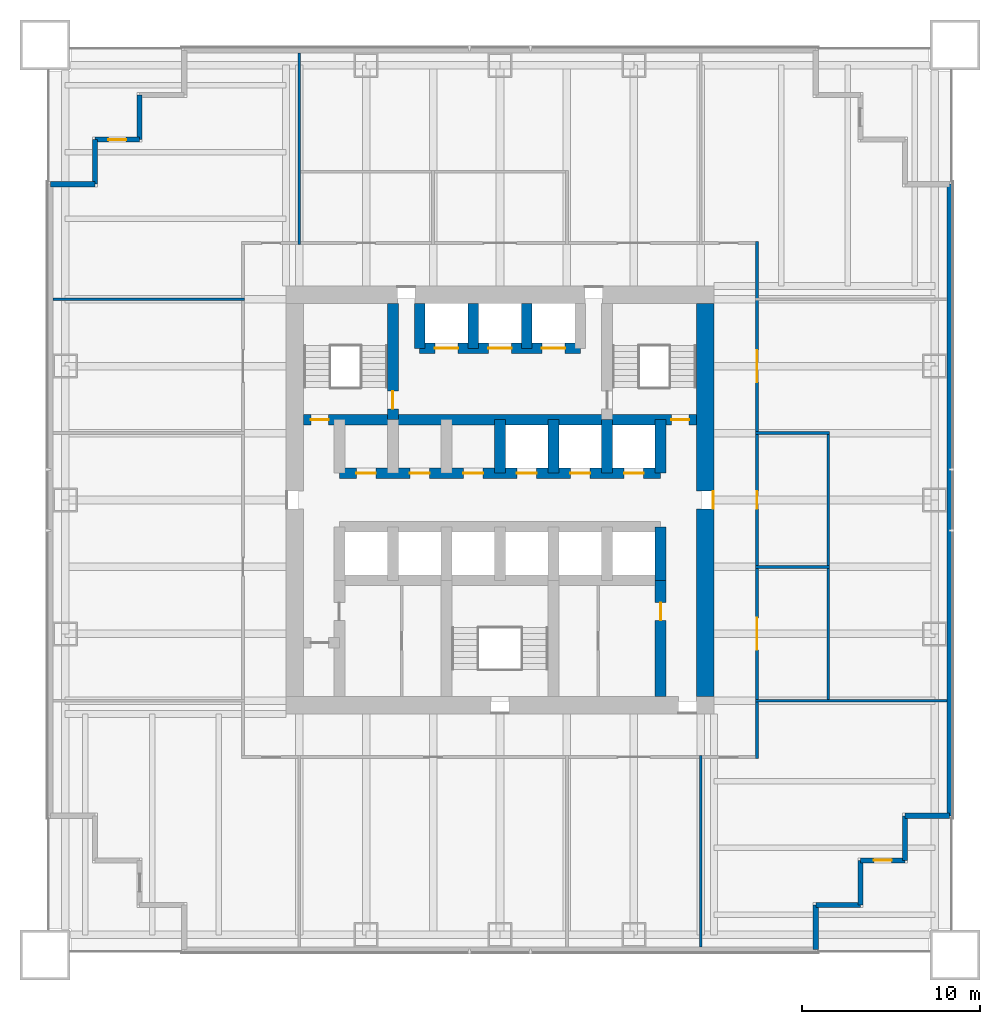
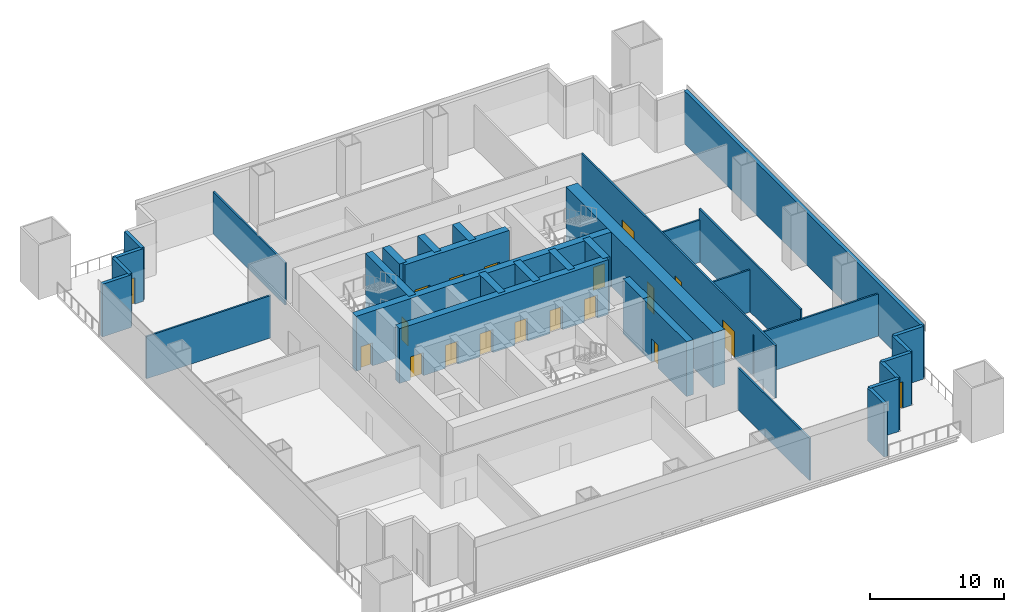
# One storey, part 3 of 7: 33 walls, 19 doors, 19 openings.
"""IFC4 building model written with IfcOpenShell, lengths in metres."""

import ifcopenshell
import ifcopenshell.guid

model = None  # the IFC model being written
_history = None  # IfcOwnerHistory: only IFC2X3 demands one
_inside = {}  # id of a spatial element -> (the spatial element, [elements in it])
_under = {}  # id of a project, library or spatial element -> (it, [spatial elements below it])
_declared = {}  # id of a project -> (the project, [libraries it declares])
_typed = {}  # id of a type object -> (the type object, [elements of that type])
_made_of = {}  # id of a material, layer set ... -> (it, [elements and type objects made of it])


def new_model(schema):
    """Start an empty IFC model of exactly this schema.

    Asked for "IFC4X3", IfcOpenShell would pick the latest addendum, in which some entities
    have other attributes; the version numbers below select the first issue.
    IFC2X3 requires an IfcOwnerHistory on every rooted entity: one is made here for all.
    """
    global model, _history
    if schema == "IFC4X3":
        model = ifcopenshell.file(schema_version=(4, 3, 0, 0))
    else:
        model = ifcopenshell.file(schema=schema)
    _inside.clear()
    _under.clear()
    _declared.clear()
    _typed.clear()
    _made_of.clear()
    _history = None
    if model.schema == "IFC2X3":
        org = make("IfcOrganization", Name="unknown")
        user = make(
            "IfcPersonAndOrganization",
            ThePerson=make("IfcPerson", FamilyName="unknown"),
            TheOrganization=org,
        )
        app = make(
            "IfcApplication",
            ApplicationDeveloper=org,
            Version="unknown",
            ApplicationFullName="unknown",
            ApplicationIdentifier="unknown",
        )
        _history = make(
            "IfcOwnerHistory",
            OwningUser=user,
            OwningApplication=app,
            ChangeAction="ADDED",
            CreationDate=0,
        )
    return model


def make(cls, **values):
    """One entity of the class cls with the attributes given. An attribute that is None is left unset."""
    return model.create_entity(
        cls, **{name: value for name, value in values.items() if value is not None}
    )


def rooted(cls, **values):
    """An entity with a GlobalId (a new one), such as an element, a storey or a relation."""
    return make(cls, GlobalId=ifcopenshell.guid.new(), OwnerHistory=_history, **values)


def si_unit(unit_type, name, prefix=None):
    """IfcSIUnit, for example si_unit("LENGTHUNIT", "METRE", prefix="MILLI")."""
    return make("IfcSIUnit", UnitType=unit_type, Prefix=prefix, Name=name)


def assignment(units):
    """IfcUnitAssignment: the units of a project."""
    return None if units is None else make("IfcUnitAssignment", Units=units)


def point(xyz):
    """IfcCartesianPoint."""
    return None if xyz is None else make("IfcCartesianPoint", Coordinates=xyz)


def direction(xyz):
    """IfcDirection."""
    return None if xyz is None else make("IfcDirection", DirectionRatios=xyz)


def frame(location, z_axis=None, x_axis=None):
    """IfcAxis2Placement3D, a coordinate frame: its origin and axes. An axis left out is left unset."""
    return make(
        "IfcAxis2Placement3D",
        Location=point(location),
        Axis=direction(z_axis),
        RefDirection=direction(x_axis),
    )


def frame_2d(location, x_axis=None):
    """IfcAxis2Placement2D, a coordinate frame in the plane: its origin and x axis."""
    return make(
        "IfcAxis2Placement2D", Location=point(location), RefDirection=direction(x_axis)
    )


def origin():
    """The frame at (0, 0, 0) with its axes left unset."""
    return frame((0.0, 0.0, 0.0))


def place(relative_to, where):
    """IfcLocalPlacement: puts the frame where relative to a parent placement (None: the world)."""
    return make(
        "IfcLocalPlacement", PlacementRelTo=relative_to, RelativePlacement=where
    )


def context(
    kind, dimensions, precision=None, world=None, true_north=None, identifier=None
):
    """IfcGeometricRepresentationContext, for example the 3D "Model" context."""
    return make(
        "IfcGeometricRepresentationContext",
        ContextIdentifier=identifier,
        ContextType=kind,
        CoordinateSpaceDimension=dimensions,
        Precision=precision,
        WorldCoordinateSystem=world,
        TrueNorth=true_north,
    )


def subcontext(parent, identifier, kind, view, scale=None):
    """IfcGeometricRepresentationSubContext, for example "Body" below "Model"."""
    return make(
        "IfcGeometricRepresentationSubContext",
        ContextIdentifier=identifier,
        ContextType=kind,
        ParentContext=parent,
        TargetScale=scale,
        TargetView=view,
    )


def project(units=None, contexts=None):
    """IfcProject with its units and contexts."""
    return rooted(
        "IfcProject",
        Name="project",
        RepresentationContexts=contexts,
        UnitsInContext=assignment(units),
    )


def spatial(cls, under=None, at=None, **own):
    """A site, building, storey or space (cls), placed at a placement, below another one or the project."""
    s = rooted(cls, ObjectPlacement=at, **own)
    if under is not None:
        _under.setdefault(under.id(), (under, []))[1].append(s)
    return s


def profile(cls, at=None, kind="AREA", **sizes):
    """A parametric profile (cls). Its sizes go by their IFC names, for example OverallWidth=200.0."""
    return make(cls, ProfileType=kind, Position=at, **sizes)


def rectangle(**sizes):
    """IfcRectangleProfileDef."""
    return profile("IfcRectangleProfileDef", **sizes)


def extrude(swept, where, along, depth):
    """IfcExtrudedAreaSolid: the profile swept, set in the frame where, extruded along a direction by depth."""
    return make(
        "IfcExtrudedAreaSolid",
        SweptArea=swept,
        Position=where,
        ExtrudedDirection=direction(along),
        Depth=depth,
    )


def shape(context_of_items, identifier, shape_type, items):
    """IfcShapeRepresentation: the items that make up one representation, for example the "Body"."""
    return make(
        "IfcShapeRepresentation",
        ContextOfItems=context_of_items,
        RepresentationIdentifier=identifier,
        RepresentationType=shape_type,
        Items=items,
    )


def material(Name=None, Category=None):
    """IfcMaterial."""
    return make("IfcMaterial", Name=Name, Category=Category)


def layer(
    of_material, thickness, ventilated=None, Name=None, Category=None, Priority=None
):
    """IfcMaterialLayer: one layer of a wall or slab, of a material (None: an air gap)."""
    return make(
        "IfcMaterialLayer",
        Material=of_material,
        LayerThickness=thickness,
        IsVentilated=ventilated,
        Name=Name,
        Category=Category,
        Priority=Priority,
    )


def layer_set(layers, Name=None):
    """IfcMaterialLayerSet."""
    return make("IfcMaterialLayerSet", MaterialLayers=layers, LayerSetName=Name)


def made_of(thing, what):
    """Note that an element or type object is made of a material, layer set ...; save() writes the relation."""
    if what is not None:
        _made_of.setdefault(what.id(), (what, []))[1].append(thing)
    return thing


def type_object(cls, material=None, **own):
    """A type object (cls), such as IfcWallType, which elements share."""
    return made_of(rooted(cls, **own), material)


def element(
    cls,
    number,
    at=None,
    inside=None,
    cuts=None,
    type_object=None,
    material=None,
    context=None,
    identifier="Body",
    shape_type=None,
    held_by="IfcProductDefinitionShape",
    body=None,
    shapes=None,
    **own,
):
    """One element of the class cls, such as IfcWall. Its Tag is "e" and its number.

    at: its placement. inside: the storey or other place that contains it. cuts: it is an
    opening in that element (IfcRelVoidsElement). A single representation is given by context,
    identifier, shape_type and body (its items); several are given by shapes. held_by: the class
    of the entity that holds the representations. save() writes the other relations.
    """
    e = rooted(cls, Tag="e%d" % number, ObjectPlacement=at, **own)
    if body is not None:
        shapes = [shape(context, identifier, shape_type, body)]
    if shapes is not None:
        e.Representation = make(held_by, Representations=shapes)
    if inside is not None:
        _inside.setdefault(inside.id(), (inside, []))[1].append(e)
    if cuts is not None:
        rooted(
            "IfcRelVoidsElement", RelatingBuildingElement=cuts, RelatedOpeningElement=e
        )
    if type_object is not None:
        _typed.setdefault(type_object.id(), (type_object, []))[1].append(e)
    return made_of(e, material)


def fill(opening, filler):
    """IfcRelFillsElement: the door or window that sits in an opening."""
    return rooted(
        "IfcRelFillsElement",
        RelatingOpeningElement=opening,
        RelatedBuildingElement=filler,
    )


def aggregate(whole, parts):
    """IfcRelAggregates: a whole, such as a stair, and the parts it consists of."""
    return rooted("IfcRelAggregates", RelatingObject=whole, RelatedObjects=parts)


def save(model, path):
    """Write the relations noted so far, then the file.

    IfcRelAggregates (storeys below a building ...), IfcRelContainedInSpatialStructure (elements
    in a storey), IfcRelDefinesByType, IfcRelAssociatesMaterial and IfcRelDeclares: one each for
    every whole, place, type object, material and project.
    """
    for whole, parts in _under.values():
        aggregate(whole, parts)
    for where, things in _inside.values():
        rooted(
            "IfcRelContainedInSpatialStructure",
            RelatedElements=things,
            RelatingStructure=where,
        )
    for kind, things in _typed.values():
        rooted("IfcRelDefinesByType", RelatedObjects=things, RelatingType=kind)
    for what, things in _made_of.values():
        rooted("IfcRelAssociatesMaterial", RelatedObjects=things, RelatingMaterial=what)
    for by, libraries in _declared.values():
        rooted("IfcRelDeclares", RelatingContext=by, RelatedDefinitions=libraries)
    model.write(path)


model = new_model("IFC4")

# Units and contexts
model_context = context("Model", 3, precision=1e-05, world=origin(), true_north=direction((0.0, 1.0)))
body_context = subcontext(model_context, "Body", "Model", "MODEL_VIEW")
ifc_project = project(units=[si_unit("LENGTHUNIT", "METRE"), si_unit("AREAUNIT", "SQUARE_METRE"), si_unit("VOLUMEUNIT", "CUBIC_METRE"), si_unit("PLANEANGLEUNIT", "RADIAN"), si_unit("MASSUNIT", "GRAM", prefix="KILO")], contexts=[model_context])

# Site, building, storey
site_placement = place(None, origin())
site = spatial("IfcSite", under=ifc_project, at=site_placement, CompositionType="ELEMENT")
building_placement = place(site_placement, origin())
building = spatial("IfcBuilding", under=site, at=building_placement, Name="Tarangal Relay Tower", CompositionType="ELEMENT")
storey_placement = place(building_placement, frame((0.0, 0.0, 43.39990234375)))
storey = spatial("IfcBuildingStorey", under=building, at=storey_placement, Name="L08", CompositionType="ELEMENT", Elevation=43.39990234375)

# Wall, openings, doors
ifc_material_1 = material(Name="Concrete fc' 60 MPa", Category="concrete")
ifc_layer_1 = layer(ifc_material_1, 0.60009765625)
ifc_layer_set_1 = layer_set([ifc_layer_1], Name="Core inner wall 600")
wall_type_1 = type_object("IfcWallType", Name="Core inner wall 600", PredefinedType="SHEAR", material=ifc_layer_set_1)
wall_1_placement = place(storey_placement, frame((-11.0, 4.5, 0.0), z_axis=(0.0, 0.0, 1.0), x_axis=(1.0, 0.0, 0.0)))
wall_1 = element("IfcWall", 1, at=wall_1_placement, inside=storey, type_object=wall_type_1, Name="Core wall Y45 L08", PredefinedType="SHEAR", context=body_context, shape_type="SweptSolid", body=[
    extrude(rectangle(XDim=22.0, YDim=0.60009765625, at=frame_2d((11.0, 0.0))), origin(), (0.0, 0.0, 1.0), 5.0),
])
opening_1_placement = place(wall_1_placement, frame((0.39990234375, 0.0, 0.0)))
opening_1 = element("IfcOpeningElement", 2, at=opening_1_placement, cuts=wall_1, Name="Opening FD1", PredefinedType="OPENING", context=body_context, shape_type="SweptSolid", body=[
    extrude(rectangle(XDim=1.0, YDim=2.10009765625, at=frame_2d((0.5, 1.050048828125))), frame((0.0, 0.31005859375, 0.0), z_axis=(0.0, -1.0, 0.0), x_axis=(1.0, 0.0, 0.0)), (0.0, 0.0, 1.0), 0.6201171875),
])
opening_2_placement = place(wall_1_placement, frame((20.60009765625, 0.0, 0.0)))
opening_2 = element("IfcOpeningElement", 3, at=opening_2_placement, cuts=wall_1, Name="Opening FD1", PredefinedType="OPENING", context=body_context, shape_type="SweptSolid", body=[
    extrude(rectangle(XDim=1.0, YDim=2.10009765625, at=frame_2d((0.5, 1.050048828125))), frame((0.0, 0.31005859375, 0.0), z_axis=(0.0, -1.0, 0.0), x_axis=(1.0, 0.0, 0.0)), (0.0, 0.0, 1.0), 0.6201171875),
])
ifc_material_2 = material(Name="Steel door with hardwood frame", Category="steel")
door_type_1 = type_object("IfcDoorType", Name="Fire door 1000 x 2100", OperationType="SINGLE_SWING_LEFT", PredefinedType="DOOR", material=ifc_material_2)
door_1_placement = place(opening_1_placement, origin())
door_1 = element("IfcDoor", 4, at=door_1_placement, inside=storey, type_object=door_type_1, Name="Stair ST-A door from corridor L08", OperationType="SINGLE_SWING_LEFT", OverallHeight=2.10009765625, OverallWidth=1.0, PredefinedType="DOOR", context=body_context, shape_type="SweptSolid", body=[
    extrude(rectangle(XDim=1.0, YDim=2.10009765625, at=frame_2d((0.5, 1.050048828125))), frame((0.0, 0.02490234375, 0.0), z_axis=(0.0, -1.0, 0.0), x_axis=(1.0, 0.0, 0.0)), (0.0, 0.0, 1.0), 0.050048828125),
])
fill(opening_1, door_1)
door_2_placement = place(opening_2_placement, origin())
door_2 = element("IfcDoor", 5, at=door_2_placement, inside=storey, type_object=door_type_1, Name="Stair ST-B door from corridor L08", OperationType="SINGLE_SWING_LEFT", OverallHeight=2.10009765625, OverallWidth=1.0, PredefinedType="DOOR", context=body_context, shape_type="SweptSolid", body=[
    extrude(rectangle(XDim=1.0, YDim=2.10009765625, at=frame_2d((0.5, 1.050048828125))), frame((0.0, 0.02490234375, 0.0), z_axis=(0.0, -1.0, 0.0), x_axis=(1.0, 0.0, 0.0)), (0.0, 0.0, 1.0), 0.050048828125),
])
fill(opening_2, door_2)

wall_2_placement = place(storey_placement, frame((-9.0, 1.5, 0.0), z_axis=(0.0, 0.0, 1.0), x_axis=(1.0, 0.0, 0.0)))
wall_2 = element("IfcWall", 6, at=wall_2_placement, inside=storey, type_object=wall_type_1, Name="Core wall Y15 L08", PredefinedType="SHEAR", context=body_context, shape_type="SweptSolid", body=[
    extrude(rectangle(XDim=18.0, YDim=0.60009765625, at=frame_2d((9.0, 0.0))), origin(), (0.0, 0.0, 1.0), 5.0),
])
opening_3_placement = place(wall_2_placement, frame((9.949951171875, 0.0, 0.0)))
opening_3 = element("IfcOpeningElement", 7, at=opening_3_placement, cuts=wall_2, Name="Opening LD1", PredefinedType="OPENING", context=body_context, shape_type="SweptSolid", body=[
    extrude(rectangle(XDim=1.10009765625, YDim=2.10009765625, at=frame_2d((0.550048828125, 1.050048828125))), frame((0.0, 0.31005859375, 0.0), z_axis=(0.0, -1.0, 0.0), x_axis=(1.0, 0.0, 0.0)), (0.0, 0.0, 1.0), 0.6201171875),
])
opening_4_placement = place(wall_2_placement, frame((12.949951171875, 0.0, 0.0)))
opening_4 = element("IfcOpeningElement", 8, at=opening_4_placement, cuts=wall_2, Name="Opening LD1", PredefinedType="OPENING", context=body_context, shape_type="SweptSolid", body=[
    extrude(rectangle(XDim=1.10009765625, YDim=2.10009765625, at=frame_2d((0.550048828125, 1.050048828125))), frame((0.0, 0.31005859375, 0.0), z_axis=(0.0, -1.0, 0.0), x_axis=(1.0, 0.0, 0.0)), (0.0, 0.0, 1.0), 0.6201171875),
])
opening_5_placement = place(wall_2_placement, frame((15.949951171875, 0.0, 0.0)))
opening_5 = element("IfcOpeningElement", 9, at=opening_5_placement, cuts=wall_2, Name="Opening LD1", PredefinedType="OPENING", context=body_context, shape_type="SweptSolid", body=[
    extrude(rectangle(XDim=1.10009765625, YDim=2.10009765625, at=frame_2d((0.550048828125, 1.050048828125))), frame((0.0, 0.31005859375, 0.0), z_axis=(0.0, -1.0, 0.0), x_axis=(1.0, 0.0, 0.0)), (0.0, 0.0, 1.0), 0.6201171875),
])
opening_6_placement = place(wall_2_placement, frame((0.949951171875, 0.0, 0.0)))
opening_6 = element("IfcOpeningElement", 10, at=opening_6_placement, cuts=wall_2, Name="Opening D4", PredefinedType="OPENING", context=body_context, shape_type="SweptSolid", body=[
    extrude(rectangle(XDim=1.10009765625, YDim=2.10009765625, at=frame_2d((0.550048828125, 1.050048828125))), frame((0.0, 0.31005859375, 0.0), z_axis=(0.0, -1.0, 0.0), x_axis=(1.0, 0.0, 0.0)), (0.0, 0.0, 1.0), 0.6201171875),
])
opening_7_placement = place(wall_2_placement, frame((3.949951171875, 0.0, 0.0)))
opening_7 = element("IfcOpeningElement", 11, at=opening_7_placement, cuts=wall_2, Name="Opening D4", PredefinedType="OPENING", context=body_context, shape_type="SweptSolid", body=[
    extrude(rectangle(XDim=1.10009765625, YDim=2.10009765625, at=frame_2d((0.550048828125, 1.050048828125))), frame((0.0, 0.31005859375, 0.0), z_axis=(0.0, -1.0, 0.0), x_axis=(1.0, 0.0, 0.0)), (0.0, 0.0, 1.0), 0.6201171875),
])
opening_8_placement = place(wall_2_placement, frame((6.949951171875, 0.0, 0.0)))
opening_8 = element("IfcOpeningElement", 12, at=opening_8_placement, cuts=wall_2, Name="Opening D4", PredefinedType="OPENING", context=body_context, shape_type="SweptSolid", body=[
    extrude(rectangle(XDim=1.10009765625, YDim=2.10009765625, at=frame_2d((0.550048828125, 1.050048828125))), frame((0.0, 0.31005859375, 0.0), z_axis=(0.0, -1.0, 0.0), x_axis=(1.0, 0.0, 0.0)), (0.0, 0.0, 1.0), 0.6201171875),
])
door_type_2 = type_object("IfcDoorType", Name="Core room door 1100 x 2100", OperationType="SINGLE_SWING_RIGHT", PredefinedType="DOOR", material=ifc_material_2)
door_3_placement = place(opening_6_placement, origin())
door_3 = element("IfcDoor", 13, at=door_3_placement, inside=storey, type_object=door_type_2, Name="Door D4 to it room L08-D1", OperationType="SINGLE_SWING_RIGHT", OverallHeight=2.10009765625, OverallWidth=1.10009765625, PredefinedType="DOOR", context=body_context, shape_type="SweptSolid", body=[
    extrude(rectangle(XDim=1.10009765625, YDim=2.10009765625, at=frame_2d((0.550048828125, 1.050048828125))), frame((0.0, 0.02490234375, 0.0), z_axis=(0.0, -1.0, 0.0), x_axis=(1.0, 0.0, 0.0)), (0.0, 0.0, 1.0), 0.050048828125),
])
fill(opening_6, door_3)
door_4_placement = place(opening_7_placement, origin())
door_4 = element("IfcDoor", 14, at=door_4_placement, inside=storey, type_object=door_type_2, Name="Door D4 to back-of-house plant room L08-D2", OperationType="SINGLE_SWING_RIGHT", OverallHeight=2.10009765625, OverallWidth=1.10009765625, PredefinedType="DOOR", context=body_context, shape_type="SweptSolid", body=[
    extrude(rectangle(XDim=1.10009765625, YDim=2.10009765625, at=frame_2d((0.550048828125, 1.050048828125))), frame((0.0, 0.02490234375, 0.0), z_axis=(0.0, -1.0, 0.0), x_axis=(1.0, 0.0, 0.0)), (0.0, 0.0, 1.0), 0.050048828125),
])
fill(opening_7, door_4)
door_5_placement = place(opening_8_placement, origin())
door_5 = element("IfcDoor", 15, at=door_5_placement, inside=storey, type_object=door_type_2, Name="Door D4 to staff pantry L08-D3", OperationType="SINGLE_SWING_RIGHT", OverallHeight=2.10009765625, OverallWidth=1.10009765625, PredefinedType="DOOR", context=body_context, shape_type="SweptSolid", body=[
    extrude(rectangle(XDim=1.10009765625, YDim=2.10009765625, at=frame_2d((0.550048828125, 1.050048828125))), frame((0.0, 0.02490234375, 0.0), z_axis=(0.0, -1.0, 0.0), x_axis=(1.0, 0.0, 0.0)), (0.0, 0.0, 1.0), 0.050048828125),
])
fill(opening_8, door_5)
door_type_3 = type_object("IfcDoorType", Name="Lift landing door 1100 x 2100", OperationType="SLIDING_TO_LEFT", PredefinedType="DOOR", material=ifc_material_2)
door_6_placement = place(opening_3_placement, origin())
door_6 = element("IfcDoor", 16, at=door_6_placement, inside=storey, type_object=door_type_3, Name="Lift T1 landing door L08", OperationType="SLIDING_TO_LEFT", OverallHeight=2.10009765625, OverallWidth=1.10009765625, PredefinedType="DOOR", context=body_context, shape_type="SweptSolid", body=[
    extrude(rectangle(XDim=1.10009765625, YDim=2.10009765625, at=frame_2d((0.550048828125, 1.050048828125))), frame((0.0, 0.02490234375, 0.0), z_axis=(0.0, -1.0, 0.0), x_axis=(1.0, 0.0, 0.0)), (0.0, 0.0, 1.0), 0.050048828125),
])
fill(opening_3, door_6)
door_7_placement = place(opening_4_placement, origin())
door_7 = element("IfcDoor", 17, at=door_7_placement, inside=storey, type_object=door_type_3, Name="Lift T2 landing door L08", OperationType="SLIDING_TO_LEFT", OverallHeight=2.10009765625, OverallWidth=1.10009765625, PredefinedType="DOOR", context=body_context, shape_type="SweptSolid", body=[
    extrude(rectangle(XDim=1.10009765625, YDim=2.10009765625, at=frame_2d((0.550048828125, 1.050048828125))), frame((0.0, 0.02490234375, 0.0), z_axis=(0.0, -1.0, 0.0), x_axis=(1.0, 0.0, 0.0)), (0.0, 0.0, 1.0), 0.050048828125),
])
fill(opening_4, door_7)
door_8_placement = place(opening_5_placement, origin())
door_8 = element("IfcDoor", 18, at=door_8_placement, inside=storey, type_object=door_type_3, Name="Lift T3 landing door L08", OperationType="SLIDING_TO_LEFT", OverallHeight=2.10009765625, OverallWidth=1.10009765625, PredefinedType="DOOR", context=body_context, shape_type="SweptSolid", body=[
    extrude(rectangle(XDim=1.10009765625, YDim=2.10009765625, at=frame_2d((0.550048828125, 1.050048828125))), frame((0.0, 0.02490234375, 0.0), z_axis=(0.0, -1.0, 0.0), x_axis=(1.0, 0.0, 0.0)), (0.0, 0.0, 1.0), 0.050048828125),
])
fill(opening_5, door_8)

wall_3_placement = place(storey_placement, frame((-4.5, 8.5, 0.0), z_axis=(0.0, 0.0, 1.0), x_axis=(1.0, 0.0, 0.0)))
wall_3 = element("IfcWall", 19, at=wall_3_placement, inside=storey, type_object=wall_type_1, Name="Core wall Y85 L08", PredefinedType="SHEAR", context=body_context, shape_type="SweptSolid", body=[
    extrude(rectangle(XDim=9.0, YDim=0.60009765625, at=frame_2d((4.5, 0.0))), origin(), (0.0, 0.0, 1.0), 5.0),
])
opening_9_placement = place(wall_3_placement, frame((0.85009765625, 0.0, 0.0)))
opening_9 = element("IfcOpeningElement", 20, at=opening_9_placement, cuts=wall_3, Name="Opening LD2", PredefinedType="OPENING", context=body_context, shape_type="SweptSolid", body=[
    extrude(rectangle(XDim=1.300048828125, YDim=2.39990234375, at=frame_2d((0.64990234375, 1.199951171875))), frame((0.0, 0.31005859375, 0.0), z_axis=(0.0, -1.0, 0.0), x_axis=(1.0, 0.0, 0.0)), (0.0, 0.0, 1.0), 0.6201171875),
])
opening_10_placement = place(wall_3_placement, frame((6.85009765625, 0.0, 0.0)))
opening_10 = element("IfcOpeningElement", 21, at=opening_10_placement, cuts=wall_3, Name="Opening LD2", PredefinedType="OPENING", context=body_context, shape_type="SweptSolid", body=[
    extrude(rectangle(XDim=1.300048828125, YDim=2.39990234375, at=frame_2d((0.64990234375, 1.199951171875))), frame((0.0, 0.31005859375, 0.0), z_axis=(0.0, -1.0, 0.0), x_axis=(1.0, 0.0, 0.0)), (0.0, 0.0, 1.0), 0.6201171875),
])
opening_11_placement = place(wall_3_placement, frame((3.85009765625, 0.0, 0.0)))
opening_11 = element("IfcOpeningElement", 22, at=opening_11_placement, cuts=wall_3, Name="Opening LD2", PredefinedType="OPENING", context=body_context, shape_type="SweptSolid", body=[
    extrude(rectangle(XDim=1.300048828125, YDim=2.39990234375, at=frame_2d((0.64990234375, 1.199951171875))), frame((0.0, 0.31005859375, 0.0), z_axis=(0.0, -1.0, 0.0), x_axis=(1.0, 0.0, 0.0)), (0.0, 0.0, 1.0), 0.6201171875),
])
door_type_4 = type_object("IfcDoorType", Name="Lift landing door 1300 x 2400", OperationType="SLIDING_TO_LEFT", PredefinedType="DOOR", material=ifc_material_2)
door_9_placement = place(opening_9_placement, origin())
door_9 = element("IfcDoor", 23, at=door_9_placement, inside=storey, type_object=door_type_4, Name="Lift FF1 landing door L08", OperationType="SLIDING_TO_LEFT", OverallHeight=2.39990234375, OverallWidth=1.300048828125, PredefinedType="DOOR", context=body_context, shape_type="SweptSolid", body=[
    extrude(rectangle(XDim=1.300048828125, YDim=2.39990234375, at=frame_2d((0.64990234375, 1.199951171875))), frame((0.0, 0.02490234375, 0.0), z_axis=(0.0, -1.0, 0.0), x_axis=(1.0, 0.0, 0.0)), (0.0, 0.0, 1.0), 0.050048828125),
])
fill(opening_9, door_9)
door_10_placement = place(opening_10_placement, origin())
door_10 = element("IfcDoor", 24, at=door_10_placement, inside=storey, type_object=door_type_4, Name="Lift FF2 landing door L08", OperationType="SLIDING_TO_LEFT", OverallHeight=2.39990234375, OverallWidth=1.300048828125, PredefinedType="DOOR", context=body_context, shape_type="SweptSolid", body=[
    extrude(rectangle(XDim=1.300048828125, YDim=2.39990234375, at=frame_2d((0.64990234375, 1.199951171875))), frame((0.0, 0.02490234375, 0.0), z_axis=(0.0, -1.0, 0.0), x_axis=(1.0, 0.0, 0.0)), (0.0, 0.0, 1.0), 0.050048828125),
])
fill(opening_10, door_10)
door_11_placement = place(opening_11_placement, origin())
door_11 = element("IfcDoor", 25, at=door_11_placement, inside=storey, type_object=door_type_4, Name="Lift SV1 landing door L08", OperationType="SLIDING_TO_LEFT", OverallHeight=2.39990234375, OverallWidth=1.300048828125, PredefinedType="DOOR", context=body_context, shape_type="SweptSolid", body=[
    extrude(rectangle(XDim=1.300048828125, YDim=2.39990234375, at=frame_2d((0.64990234375, 1.199951171875))), frame((0.0, 0.02490234375, 0.0), z_axis=(0.0, -1.0, 0.0), x_axis=(1.0, 0.0, 0.0)), (0.0, 0.0, 1.0), 0.050048828125),
])
fill(opening_11, door_11)

# Walls
for number, where, z_axis, x_axis, name in (
    (26, (9.0, 1.5, 0.0), (0.0, 0.0, 1.0), (0.0, 1.0, 0.0), "Core wall X9N L08"),
    (27, (9.0, -4.5, 0.0), (0.0, 0.0, 1.0), (0.0, 1.0, 0.0), "Core wall X9S L08"),
    (28, (0.0, 1.5, 0.0), (0.0, 0.0, 1.0), (0.0, 1.0, 0.0), "Core wall X0N L08"),
    (29, (3.0, 1.5, 0.0), (0.0, 0.0, 1.0), (0.0, 1.0, 0.0), "Core wall X3N L08"),
    (30, (6.0, 1.5, 0.0), (0.0, 0.0, 1.0), (0.0, 1.0, 0.0), "Core wall X6N L08"),
):
    element("IfcWall", number, at=place(storey_placement, frame(where, z_axis=z_axis, x_axis=x_axis)), inside=storey, type_object=wall_type_1, Name=name, PredefinedType="SHEAR", context=body_context, shape_type="SweptSolid", body=[
        extrude(rectangle(XDim=3.0, YDim=0.60009765625, at=frame_2d((1.5, 0.0))), origin(), (0.0, 0.0, 1.0), 5.0),
    ])

# Wall, opening, door
wall_4_placement = place(storey_placement, frame((-6.0, 4.5, 0.0), z_axis=(0.0, 0.0, 1.0), x_axis=(0.0, 1.0, 0.0)))
wall_4 = element("IfcWall", 31, at=wall_4_placement, inside=storey, type_object=wall_type_1, Name="Core wall XM6 L08", PredefinedType="SHEAR", context=body_context, shape_type="SweptSolid", body=[
    extrude(rectangle(XDim=6.5, YDim=0.60009765625, at=frame_2d((3.25, 0.0))), origin(), (0.0, 0.0, 1.0), 5.0),
])
opening_12_placement = place(wall_4_placement, frame((0.60009765625, 0.0, 0.0)))
opening_12 = element("IfcOpeningElement", 32, at=opening_12_placement, cuts=wall_4, Name="Opening FD1", PredefinedType="OPENING", context=body_context, shape_type="SweptSolid", body=[
    extrude(rectangle(XDim=1.0, YDim=2.10009765625, at=frame_2d((0.5, 1.050048828125))), frame((0.0, 0.31005859375, 0.0), z_axis=(0.0, -1.0, 0.0), x_axis=(1.0, 0.0, 0.0)), (0.0, 0.0, 1.0), 0.6201171875),
])
door_12_placement = place(opening_12_placement, origin())
door_12 = element("IfcDoor", 33, at=door_12_placement, inside=storey, type_object=door_type_1, Name="Stair ST-A door from fire-fighting lobby L08", OperationType="SINGLE_SWING_LEFT", OverallHeight=2.10009765625, OverallWidth=1.0, PredefinedType="DOOR", context=body_context, shape_type="SweptSolid", body=[
    extrude(rectangle(XDim=1.0, YDim=2.10009765625, at=frame_2d((0.5, 1.050048828125))), frame((0.0, 0.02490234375, 0.0), z_axis=(0.0, -1.0, 0.0), x_axis=(1.0, 0.0, 0.0)), (0.0, 0.0, 1.0), 0.050048828125),
])
fill(opening_12, door_12)

# Walls
for number, where, z_axis, x_axis, name in (
    (34, (-4.5, 8.5, 0.0), (0.0, 0.0, 1.0), (0.0, 1.0, 0.0), "Core wall XM45 L08"),
    (35, (-1.5, 8.5, 0.0), (0.0, 0.0, 1.0), (0.0, 1.0, 0.0), "Core wall XM15 L08"),
    (36, (1.5, 8.5, 0.0), (0.0, 0.0, 1.0), (0.0, 1.0, 0.0), "Core wall X15 L08"),
):
    element("IfcWall", number, at=place(storey_placement, frame(where, z_axis=z_axis, x_axis=x_axis)), inside=storey, type_object=wall_type_1, Name=name, PredefinedType="SHEAR", context=body_context, shape_type="SweptSolid", body=[
        extrude(rectangle(XDim=2.5, YDim=0.60009765625, at=frame_2d((1.25, 0.0))), origin(), (0.0, 0.0, 1.0), 5.0),
    ])

# Wall, opening, door
wall_5_placement = place(storey_placement, frame((9.0, -11.0, 0.0), z_axis=(0.0, 0.0, 1.0), x_axis=(0.0, 1.0, 0.0)))
wall_5 = element("IfcWall", 37, at=wall_5_placement, inside=storey, type_object=wall_type_1, Name="Core wall X9W L08", PredefinedType="SHEAR", context=body_context, shape_type="SweptSolid", body=[
    extrude(rectangle(XDim=6.5, YDim=0.60009765625, at=frame_2d((3.25, 0.0))), origin(), (0.0, 0.0, 1.0), 5.0),
])
opening_13_placement = place(wall_5_placement, frame((4.25, 0.0, 0.0)))
opening_13 = element("IfcOpeningElement", 38, at=opening_13_placement, cuts=wall_5, Name="Opening D1", PredefinedType="OPENING", context=body_context, shape_type="SweptSolid", body=[
    extrude(rectangle(XDim=1.0, YDim=2.10009765625, at=frame_2d((0.5, 1.050048828125))), frame((0.0, 0.31005859375, 0.0), z_axis=(0.0, -1.0, 0.0), x_axis=(1.0, 0.0, 0.0)), (0.0, 0.0, 1.0), 0.6201171875),
])
ifc_material_3 = material(Name="Hardwood door", Category="wood")
door_type_5 = type_object("IfcDoorType", Name="WC door 1000 x 2100", OperationType="SINGLE_SWING_LEFT", PredefinedType="DOOR", material=ifc_material_3)
door_13_placement = place(opening_13_placement, origin())
door_13 = element("IfcDoor", 39, at=door_13_placement, inside=storey, type_object=door_type_5, Name="Female WC door L08", OperationType="SINGLE_SWING_LEFT", OverallHeight=2.10009765625, OverallWidth=1.0, PredefinedType="DOOR", context=body_context, shape_type="SweptSolid", body=[
    extrude(rectangle(XDim=1.0, YDim=2.10009765625, at=frame_2d((0.5, 1.050048828125))), frame((0.0, 0.02490234375, 0.0), z_axis=(0.0, -1.0, 0.0), x_axis=(1.0, 0.0, 0.0)), (0.0, 0.0, 1.0), 0.050048828125),
])
fill(opening_13, door_13)

ifc_layer_2 = layer(ifc_material_1, 1.0)
ifc_layer_set_2 = layer_set([ifc_layer_2], Name="Core wall 1000")
wall_type_2 = type_object("IfcWallType", Name="Core wall 1000", PredefinedType="SHEAR", material=ifc_layer_set_2)
wall_6_placement = place(storey_placement, frame((11.5, 11.0, 0.0), z_axis=(0.0, 0.0, 1.0), x_axis=(0.0, -1.0, 0.0)))
wall_6 = element("IfcWall", 40, at=wall_6_placement, inside=storey, type_object=wall_type_2, Name="Core wall E L08", PredefinedType="SHEAR", context=body_context, shape_type="SweptSolid", body=[
    extrude(rectangle(XDim=22.0, YDim=1.0, at=frame_2d((11.0, 0.0))), origin(), (0.0, 0.0, 1.0), 5.0),
])
opening_14_placement = place(wall_6_placement, frame((10.5, 0.0, 0.0)))
opening_14 = element("IfcOpeningElement", 41, at=opening_14_placement, cuts=wall_6, Name="Opening FD3", PredefinedType="OPENING", context=body_context, shape_type="SweptSolid", body=[
    extrude(rectangle(XDim=1.0, YDim=2.39990234375, at=frame_2d((0.5, 1.199951171875))), frame((0.0, 0.510009765625, 0.0), z_axis=(0.0, -1.0, 0.0), x_axis=(1.0, 0.0, 0.0)), (0.0, 0.0, 1.0), 1.02001953125),
])
door_type_6 = type_object("IfcDoorType", Name="Fire door 1000 x 2400 core entry", OperationType="SINGLE_SWING_RIGHT", PredefinedType="DOOR", material=ifc_material_2)
door_14_placement = place(opening_14_placement, origin())
door_14 = element("IfcDoor", 42, at=door_14_placement, inside=storey, type_object=door_type_6, Name="Core entry door east L08", OperationType="SINGLE_SWING_RIGHT", OverallHeight=2.39990234375, OverallWidth=1.0, PredefinedType="DOOR", context=body_context, shape_type="SweptSolid", body=[
    extrude(rectangle(XDim=1.0, YDim=2.39990234375, at=frame_2d((0.5, 1.199951171875))), frame((0.0, 0.48486328125, 0.0), z_axis=(0.0, -1.0, 0.0), x_axis=(1.0, 0.0, 0.0)), (0.0, 0.0, 1.0), 0.050048828125),
])
fill(opening_14, door_14)

# Walls
ifc_material_4 = material(Name="Insulated precast concrete fc' 40 MPa", Category="concrete")
ifc_layer_3 = layer(ifc_material_4, 0.300048828125)
ifc_layer_set_3 = layer_set([ifc_layer_3], Name="Insulated precast concrete fc' 40 MPa")
wall_type_3 = type_object("IfcWallType", Name="Facade wall precast 300", PredefinedType="SOLIDWALL", material=ifc_layer_set_3)
wall_7_placement = place(storey_placement, frame((25.199951171875, 17.699951171875, 0.0), z_axis=(0.0, 0.0, 1.0), x_axis=(0.0, -1.0, 0.0)))
element("IfcWall", 43, at=wall_7_placement, inside=storey, type_object=wall_type_3, Name="Facade wall E facade L08", PredefinedType="SOLIDWALL", context=body_context, shape_type="SweptSolid", body=[
    extrude(rectangle(XDim=35.39990234375, YDim=0.300048828125, at=frame_2d((17.699951171875, 0.0))), origin(), (0.0, 0.0, 1.0), 4.800048828125),
])
for number, where, z_axis, x_axis, name in (
    (44, (25.199951171875, -17.699951171875, 0.0), (0.0, 0.0, 1.0), (-1.0, 0.0, 0.0), "Facade wall E facade L08"),
    (45, (22.699951171875, -17.699951171875, 0.0), (0.0, 0.0, 1.0), (0.0, -1.0, 0.0), "Facade wall E facade L08"),
):
    element("IfcWall", number, at=place(storey_placement, frame(where, z_axis=z_axis, x_axis=x_axis)), inside=storey, type_object=wall_type_3, Name=name, PredefinedType="SOLIDWALL", context=body_context, shape_type="SweptSolid", body=[
        extrude(rectangle(XDim=2.5, YDim=0.300048828125, at=frame_2d((1.25, 0.0))), origin(), (0.0, 0.0, 1.0), 4.800048828125),
    ])

# Wall, opening, door
wall_8_placement = place(storey_placement, frame((22.699951171875, -20.199951171875, 0.0), z_axis=(0.0, 0.0, 1.0), x_axis=(-1.0, 0.0, 0.0)))
wall_8 = element("IfcWall", 46, at=wall_8_placement, inside=storey, type_object=wall_type_3, Name="Facade wall E facade L08", PredefinedType="SOLIDWALL", context=body_context, shape_type="SweptSolid", body=[
    extrude(rectangle(XDim=2.5, YDim=0.300048828125, at=frame_2d((1.25, 0.0))), origin(), (0.0, 0.0, 1.0), 4.800048828125),
])
opening_15_placement = place(wall_8_placement, frame((0.75, 0.0, 0.0)))
opening_15 = element("IfcOpeningElement", 47, at=opening_15_placement, cuts=wall_8, Name="Opening TD1", PredefinedType="OPENING", context=body_context, shape_type="SweptSolid", body=[
    extrude(rectangle(XDim=1.0, YDim=2.39990234375, at=frame_2d((0.5, 1.199951171875))), frame((0.0, 0.159912109375, 0.0), z_axis=(0.0, -1.0, 0.0), x_axis=(1.0, 0.0, 0.0)), (0.0, 0.0, 1.0), 0.320068359375),
])
ifc_material_5 = material(Name="Aluminium glazed door", Category="aluminium")
door_type_7 = type_object("IfcDoorType", Name="Terrace door 1000 x 2400", OperationType="SINGLE_SWING_RIGHT", PredefinedType="DOOR", material=ifc_material_5)
door_15_placement = place(opening_15_placement, origin())
door_15 = element("IfcDoor", 48, at=door_15_placement, inside=storey, type_object=door_type_7, Name="Terrace door TD1 SE L08", OperationType="SINGLE_SWING_RIGHT", OverallHeight=2.39990234375, OverallWidth=1.0, PredefinedType="DOOR", context=body_context, shape_type="SweptSolid", body=[
    extrude(rectangle(XDim=1.0, YDim=2.39990234375, at=frame_2d((0.5, 1.199951171875))), frame((0.0, 0.02490234375, 0.0), z_axis=(0.0, -1.0, 0.0), x_axis=(1.0, 0.0, 0.0)), (0.0, 0.0, 1.0), 0.050048828125),
])
fill(opening_15, door_15)

# Walls
for number, where, z_axis, x_axis, name in (
    (49, (20.199951171875, -20.199951171875, 0.0), (0.0, 0.0, 1.0), (0.0, -1.0, 0.0), "Facade wall E facade L08"),
    (50, (20.199951171875, -22.699951171875, 0.0), (0.0, 0.0, 1.0), (-1.0, 0.0, 0.0), "Facade wall E facade L08"),
    (51, (17.699951171875, -22.699951171875, 0.0), (0.0, 0.0, 1.0), (0.0, -1.0, 0.0), "Facade wall E facade L08"),
    (52, (-25.199951171875, 17.699951171875, 0.0), (0.0, 0.0, 1.0), (1.0, 0.0, 0.0), "Facade wall W facade L08"),
    (53, (-22.699951171875, 17.699951171875, 0.0), (0.0, 0.0, 1.0), (0.0, 1.0, 0.0), "Facade wall W facade L08"),
):
    element("IfcWall", number, at=place(storey_placement, frame(where, z_axis=z_axis, x_axis=x_axis)), inside=storey, type_object=wall_type_3, Name=name, PredefinedType="SOLIDWALL", context=body_context, shape_type="SweptSolid", body=[
        extrude(rectangle(XDim=2.5, YDim=0.300048828125, at=frame_2d((1.25, 0.0))), origin(), (0.0, 0.0, 1.0), 4.800048828125),
    ])

# Wall, opening, door
wall_9_placement = place(storey_placement, frame((-22.699951171875, 20.199951171875, 0.0), z_axis=(0.0, 0.0, 1.0), x_axis=(1.0, 0.0, 0.0)))
wall_9 = element("IfcWall", 54, at=wall_9_placement, inside=storey, type_object=wall_type_3, Name="Facade wall W facade L08", PredefinedType="SOLIDWALL", context=body_context, shape_type="SweptSolid", body=[
    extrude(rectangle(XDim=2.5, YDim=0.300048828125, at=frame_2d((1.25, 0.0))), origin(), (0.0, 0.0, 1.0), 4.800048828125),
])
opening_16_placement = place(wall_9_placement, frame((0.75, 0.0, 0.0)))
opening_16 = element("IfcOpeningElement", 55, at=opening_16_placement, cuts=wall_9, Name="Opening TD1", PredefinedType="OPENING", context=body_context, shape_type="SweptSolid", body=[
    extrude(rectangle(XDim=1.0, YDim=2.39990234375, at=frame_2d((0.5, 1.199951171875))), frame((0.0, 0.159912109375, 0.0), z_axis=(0.0, -1.0, 0.0), x_axis=(1.0, 0.0, 0.0)), (0.0, 0.0, 1.0), 0.320068359375),
])
door_16_placement = place(opening_16_placement, origin())
door_16 = element("IfcDoor", 56, at=door_16_placement, inside=storey, type_object=door_type_7, Name="Terrace door TD1 NW L08", OperationType="SINGLE_SWING_RIGHT", OverallHeight=2.39990234375, OverallWidth=1.0, PredefinedType="DOOR", context=body_context, shape_type="SweptSolid", body=[
    extrude(rectangle(XDim=1.0, YDim=2.39990234375, at=frame_2d((0.5, 1.199951171875))), frame((0.0, 0.02490234375, 0.0), z_axis=(0.0, -1.0, 0.0), x_axis=(1.0, 0.0, 0.0)), (0.0, 0.0, 1.0), 0.050048828125),
])
fill(opening_16, door_16)

# Walls
wall_10_placement = place(storey_placement, frame((-20.199951171875, 20.199951171875, 0.0), z_axis=(0.0, 0.0, 1.0), x_axis=(0.0, 1.0, 0.0)))
element("IfcWall", 57, at=wall_10_placement, inside=storey, type_object=wall_type_3, Name="Facade wall W facade L08", PredefinedType="SOLIDWALL", context=body_context, shape_type="SweptSolid", body=[
    extrude(rectangle(XDim=2.5, YDim=0.300048828125, at=frame_2d((1.25, 0.0))), origin(), (0.0, 0.0, 1.0), 4.800048828125),
])
ifc_material_6 = material(Name="Gypsum board on steel studs", Category="steel")
ifc_layer_4 = layer(ifc_material_6, 0.14990234375)
ifc_layer_set_4 = layer_set([ifc_layer_4], Name="Partition 150")
wall_type_4 = type_object("IfcWallType", Name="Partition 150", PredefinedType="PARTITIONING", material=ifc_layer_set_4)
wall_11_placement = place(storey_placement, frame((14.324951171875, -11.25, 0.0), z_axis=(0.0, 0.0, 1.0), x_axis=(1.0, 0.0, 0.0)))
element("IfcWall", 58, at=wall_11_placement, inside=storey, type_object=wall_type_4, Name="Partition PT1 L08", PredefinedType="PARTITIONING", context=body_context, shape_type="SweptSolid", body=[
    extrude(rectangle(XDim=10.72509765625, YDim=0.14990234375, at=frame_2d((5.362548828125, 0.0))), origin(), (0.0, 0.0, 1.0), 3.852783203125),
])
for number, where, z_axis, x_axis, name in (
    (59, (14.324951171875, -3.75, 0.0), (0.0, 0.0, 1.0), (1.0, 0.0, 0.0), "Partition PT1 L08"),
    (60, (14.324951171875, 3.75, 0.0), (0.0, 0.0, 1.0), (1.0, 0.0, 0.0), "Partition PT1 L08"),
):
    element("IfcWall", number, at=place(storey_placement, frame(where, z_axis=z_axis, x_axis=x_axis)), inside=storey, type_object=wall_type_4, Name=name, PredefinedType="PARTITIONING", context=body_context, shape_type="SweptSolid", body=[
        extrude(rectangle(XDim=4.150146484375, YDim=0.14990234375, at=frame_2d((2.0751953125, 0.0))), origin(), (0.0, 0.0, 1.0), 3.852783203125),
    ])
for number, where, z_axis, x_axis, name in (
    (61, (-25.050048828125, 11.25, 0.0), (0.0, 0.0, 1.0), (1.0, 0.0, 0.0), "Partition PT1 L08"),
    (62, (-11.25, 14.324951171875, 0.0), (0.0, 0.0, 1.0), (0.0, 1.0, 0.0), "Partition PT1 L08"),
    (63, (11.25, -25.050048828125, 0.0), (0.0, 0.0, 1.0), (0.0, 1.0, 0.0), "Partition PT1 L08"),
):
    element("IfcWall", number, at=place(storey_placement, frame(where, z_axis=z_axis, x_axis=x_axis)), inside=storey, type_object=wall_type_4, Name=name, PredefinedType="PARTITIONING", context=body_context, shape_type="SweptSolid", body=[
        extrude(rectangle(XDim=10.72509765625, YDim=0.14990234375, at=frame_2d((5.362548828125, 0.0))), origin(), (0.0, 0.0, 1.0), 3.852783203125),
    ])

# Wall, openings, doors
wall_12_placement = place(storey_placement, frame((14.39990234375, -14.47509765625, 0.0), z_axis=(0.0, 0.0, 1.0), x_axis=(0.0, 1.0, 0.0)))
wall_12 = element("IfcWall", 64, at=wall_12_placement, inside=storey, type_object=wall_type_4, Name="Partition PT1 L08", PredefinedType="PARTITIONING", context=body_context, shape_type="SweptSolid", body=[
    extrude(rectangle(XDim=28.9501953125, YDim=0.14990234375, at=frame_2d((14.47509765625, 0.0))), origin(), (0.0, 0.0, 1.0), 4.800048828125),
])
opening_17_placement = place(wall_12_placement, frame((21.074951171875, 0.0, 0.0)))
opening_17 = element("IfcOpeningElement", 65, at=opening_17_placement, cuts=wall_12, Name="Opening DD1", PredefinedType="OPENING", context=body_context, shape_type="SweptSolid", body=[
    extrude(rectangle(XDim=1.800048828125, YDim=2.39990234375, at=frame_2d((0.89990234375, 1.199951171875))), frame((0.0, 0.0849609375, 0.0), z_axis=(0.0, -1.0, 0.0), x_axis=(1.0, 0.0, 0.0)), (0.0, 0.0, 1.0), 0.169921875),
])
opening_18_placement = place(wall_12_placement, frame((13.97509765625, 0.0, 0.0)))
opening_18 = element("IfcOpeningElement", 66, at=opening_18_placement, cuts=wall_12, Name="Opening D2", PredefinedType="OPENING", context=body_context, shape_type="SweptSolid", body=[
    extrude(rectangle(XDim=1.0, YDim=2.10009765625, at=frame_2d((0.5, 1.050048828125))), frame((0.0, 0.0849609375, 0.0), z_axis=(0.0, -1.0, 0.0), x_axis=(1.0, 0.0, 0.0)), (0.0, 0.0, 1.0), 0.169921875),
])
opening_19_placement = place(wall_12_placement, frame((6.074951171875, 0.0, 0.0)))
opening_19 = element("IfcOpeningElement", 67, at=opening_19_placement, cuts=wall_12, Name="Opening DD1", PredefinedType="OPENING", context=body_context, shape_type="SweptSolid", body=[
    extrude(rectangle(XDim=1.800048828125, YDim=2.39990234375, at=frame_2d((0.89990234375, 1.199951171875))), frame((0.0, 0.0849609375, 0.0), z_axis=(0.0, -1.0, 0.0), x_axis=(1.0, 0.0, 0.0)), (0.0, 0.0, 1.0), 0.169921875),
])
door_type_8 = type_object("IfcDoorType", Name="Door 1000 x 2100", OperationType="SINGLE_SWING_LEFT", PredefinedType="DOOR", material=ifc_material_3)
door_17_placement = place(opening_18_placement, origin())
door_17 = element("IfcDoor", 68, at=door_17_placement, inside=storey, type_object=door_type_8, Name="Door D2 to customer meeting room L08-06", OperationType="SINGLE_SWING_LEFT", OverallHeight=2.10009765625, OverallWidth=1.0, PredefinedType="DOOR", context=body_context, shape_type="SweptSolid", body=[
    extrude(rectangle(XDim=1.0, YDim=2.10009765625, at=frame_2d((0.5, 1.050048828125))), frame((0.0, 0.02490234375, 0.0), z_axis=(0.0, -1.0, 0.0), x_axis=(1.0, 0.0, 0.0)), (0.0, 0.0, 1.0), 0.050048828125),
])
fill(opening_18, door_17)
door_type_9 = type_object("IfcDoorType", Name="Equipment double door 1800 x 2400", OperationType="DOUBLE_DOOR_SINGLE_SWING", PredefinedType="DOOR", material=ifc_material_2)
door_18_placement = place(opening_17_placement, origin())
door_18 = element("IfcDoor", 69, at=door_18_placement, inside=storey, type_object=door_type_9, Name="Door DD1 to data hall L08-05", OperationType="DOUBLE_DOOR_SINGLE_SWING", OverallHeight=2.39990234375, OverallWidth=1.800048828125, PredefinedType="DOOR", context=body_context, shape_type="SweptSolid", body=[
    extrude(rectangle(XDim=1.800048828125, YDim=2.39990234375, at=frame_2d((0.89990234375, 1.199951171875))), frame((0.0, 0.02490234375, 0.0), z_axis=(0.0, -1.0, 0.0), x_axis=(1.0, 0.0, 0.0)), (0.0, 0.0, 1.0), 0.050048828125),
])
fill(opening_17, door_18)
door_19_placement = place(opening_19_placement, origin())
door_19 = element("IfcDoor", 70, at=door_19_placement, inside=storey, type_object=door_type_9, Name="Door DD1 to meet-me room L08-07", OperationType="DOUBLE_DOOR_SINGLE_SWING", OverallHeight=2.39990234375, OverallWidth=1.800048828125, PredefinedType="DOOR", context=body_context, shape_type="SweptSolid", body=[
    extrude(rectangle(XDim=1.800048828125, YDim=2.39990234375, at=frame_2d((0.89990234375, 1.199951171875))), frame((0.0, 0.02490234375, 0.0), z_axis=(0.0, -1.0, 0.0), x_axis=(1.0, 0.0, 0.0)), (0.0, 0.0, 1.0), 0.050048828125),
])
fill(opening_19, door_19)

# Wall
wall_13_placement = place(storey_placement, frame((18.39990234375, -11.324951171875, 0.0), z_axis=(0.0, 0.0, 1.0), x_axis=(0.0, 1.0, 0.0)))
element("IfcWall", 71, at=wall_13_placement, inside=storey, type_object=wall_type_4, Name="Partition PT1 L08", PredefinedType="PARTITIONING", context=body_context, shape_type="SweptSolid", body=[
    extrude(rectangle(XDim=15.14990234375, YDim=0.14990234375, at=frame_2d((7.574951171875, 0.0))), origin(), (0.0, 0.0, 1.0), 4.800048828125),
])

save(model, "model.ifc")
